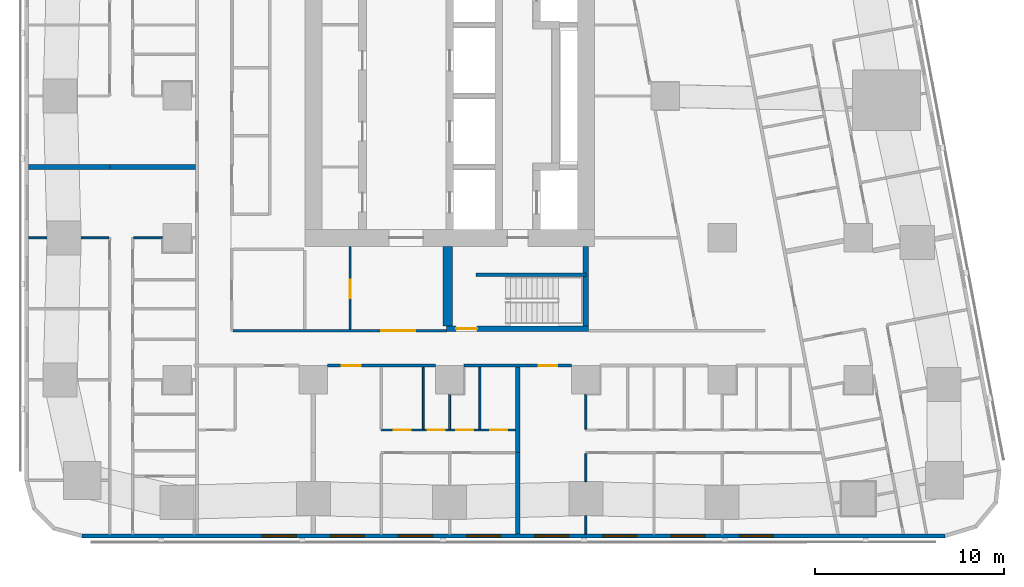
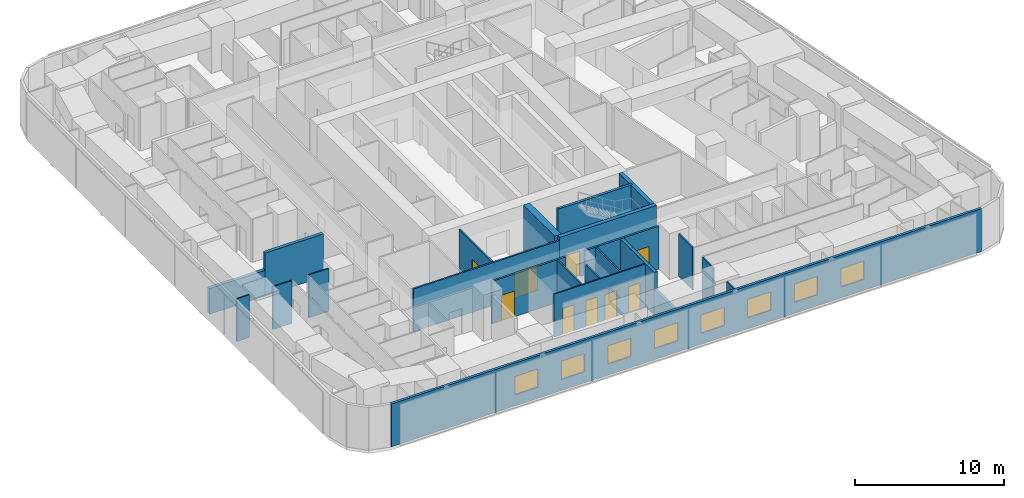
# One storey, part 3 of 15: 23 walls, 9 doors, 8 windows, 17 openings.
"""IFC4 building model written with IfcOpenShell, lengths in metres."""

from ifc_helpers import new_model, si_unit, direction, frame, frame_2d, origin, place, context, subcontext, project, spatial, rectangle, extrude, material, layer, layer_set, type_object, element, fill, save


model = new_model("IFC4")

# Units and contexts
model_context = context("Model", 3, precision=1e-05, world=origin(), true_north=direction((0.0, 1.0)))
body_context = subcontext(model_context, "Body", "Model", "MODEL_VIEW")
ifc_project = project(units=[si_unit("LENGTHUNIT", "METRE"), si_unit("AREAUNIT", "SQUARE_METRE"), si_unit("VOLUMEUNIT", "CUBIC_METRE"), si_unit("PLANEANGLEUNIT", "RADIAN"), si_unit("MASSUNIT", "GRAM", prefix="KILO")], contexts=[model_context])

# Site, building, storey
site_placement = place(None, origin())
site = spatial("IfcSite", under=ifc_project, at=site_placement, CompositionType="ELEMENT")
building_placement = place(site_placement, origin())
building = spatial("IfcBuilding", under=site, at=building_placement, Name="Sheger Commons Tower", CompositionType="ELEMENT")
storey_placement = place(building_placement, frame((0.0, 0.0, 154.550048828125)))
storey = spatial("IfcBuildingStorey", under=building, at=storey_placement, Name="L39", CompositionType="ELEMENT", Elevation=154.550048828125)

# Wall, opening, door
ifc_material_1 = material(Name="Hollow concrete block masonry, skimmed both sides", Category="masonry")
ifc_layer_1 = layer(ifc_material_1, 0.14990234375)
ifc_layer_set_1 = layer_set([ifc_layer_1], Name="CORRIDOR WALL 150")
wall_type_1 = type_object("IfcWallType", Name="CORRIDOR WALL 150", PredefinedType="SOLIDWALL", material=ifc_layer_set_1)
wall_1_placement = place(storey_placement, frame((28.049072265625, 8.25, 0.0), z_axis=(0.0, 0.0, 1.0), x_axis=(-1.0, 0.0, 0.0)))
wall_1 = element("IfcWall", 1, at=wall_1_placement, inside=storey, type_object=wall_type_1, Name="Corridor wall L39", PredefinedType="SOLIDWALL", context=body_context, shape_type="SweptSolid", body=[
    extrude(rectangle(XDim=5.697998046875, YDim=0.14990234375, at=frame_2d((2.84912109375, 0.0))), origin(), (0.0, 0.0, 1.0), 3.5),
])
opening_1_placement = place(wall_1_placement, frame((0.7490234375, 0.0, 0.0)))
opening_1 = element("IfcOpeningElement", 2, at=opening_1_placement, cuts=wall_1, Name="Opening D1", PredefinedType="OPENING", context=body_context, shape_type="SweptSolid", body=[
    extrude(rectangle(XDim=1.0, YDim=2.10009765625, at=frame_2d((0.5, 1.050048828125))), frame((0.0, 0.0849609375, 0.0), z_axis=(0.0, -1.0, 0.0), x_axis=(1.0, 0.0, 0.0)), (0.0, 0.0, 1.0), 0.169921875),
])
ifc_material_2 = material(Name="Steel door set, fire rated", Category="steel")
door_type_1 = type_object("IfcDoorType", Name="FLAT ENTRANCE DOOR 1000x2100", OperationType="NOTDEFINED", PredefinedType="DOOR", material=ifc_material_2)
door_1_placement = place(opening_1_placement, origin())
door_1 = element("IfcDoor", 3, at=door_1_placement, inside=storey, type_object=door_type_1, Name="Flat entrance door", OperationType="SINGLE_SWING_LEFT", OverallHeight=2.10009765625, OverallWidth=1.0, PredefinedType="DOOR", context=body_context, shape_type="SweptSolid", body=[
    extrude(rectangle(XDim=1.0, YDim=2.10009765625, at=frame_2d((0.5, 1.050048828125))), frame((0.0, 0.02490234375, 0.0), z_axis=(0.0, -1.0, 0.0), x_axis=(1.0, 0.0, 0.0)), (0.0, 0.0, 1.0), 0.050048828125),
])
fill(opening_1, door_1)

wall_2_placement = place(storey_placement, frame((20.84912109375, 8.25, 0.0), z_axis=(0.0, 0.0, 1.0), x_axis=(-1.0, 0.0, 0.0)))
wall_2 = element("IfcWall", 4, at=wall_2_placement, inside=storey, type_object=wall_type_1, Name="Corridor wall L39", PredefinedType="SOLIDWALL", context=body_context, shape_type="SweptSolid", body=[
    extrude(rectangle(XDim=5.6982421875, YDim=0.14990234375, at=frame_2d((2.84912109375, 0.0))), origin(), (0.0, 0.0, 1.0), 3.5),
])
opening_2_placement = place(wall_2_placement, frame((3.948974609375, 0.0, 0.0)))
opening_2 = element("IfcOpeningElement", 5, at=opening_2_placement, cuts=wall_2, Name="Opening D1", PredefinedType="OPENING", context=body_context, shape_type="SweptSolid", body=[
    extrude(rectangle(XDim=1.0, YDim=2.10009765625, at=frame_2d((0.5, 1.050048828125))), frame((0.0, 0.0849609375, 0.0), z_axis=(0.0, -1.0, 0.0), x_axis=(1.0, 0.0, 0.0)), (0.0, 0.0, 1.0), 0.169921875),
])
door_2_placement = place(opening_2_placement, origin())
door_2 = element("IfcDoor", 6, at=door_2_placement, inside=storey, type_object=door_type_1, Name="Flat entrance door", OperationType="SINGLE_SWING_RIGHT", OverallHeight=2.10009765625, OverallWidth=1.0, PredefinedType="DOOR", context=body_context, shape_type="SweptSolid", body=[
    extrude(rectangle(XDim=1.0, YDim=2.10009765625, at=frame_2d((0.5, 1.050048828125))), frame((0.0, 0.02490234375, 0.0), z_axis=(0.0, -1.0, 0.0), x_axis=(1.0, 0.0, 0.0)), (0.0, 0.0, 1.0), 0.050048828125),
])
fill(opening_2, door_2)

# Walls
ifc_material_3 = material(Name="Dense concrete block masonry, plastered both sides (separating wall between flats)", Category="masonry")
ifc_layer_2 = layer(ifc_material_3, 0.25)
ifc_layer_set_2 = layer_set([ifc_layer_2], Name="DEMISING WALL 250")
wall_type_2 = type_object("IfcWallType", Name="DEMISING WALL 250", PredefinedType="SOLIDWALL", material=ifc_layer_set_2)
wall_3_placement = place(storey_placement, frame((-0.64990234375, 18.75, 0.0), z_axis=(0.0, 0.0, 1.0), x_axis=(1.0, 0.0, 0.0)))
element("IfcWall", 7, at=wall_3_placement, inside=storey, type_object=wall_type_2, Name="Demising wall L39", PredefinedType="SOLIDWALL", context=body_context, shape_type="SweptSolid", body=[
    extrude(rectangle(XDim=4.2998046875, YDim=0.25, at=frame_2d((2.14990234375, 0.0))), origin(), (0.0, 0.0, 1.0), 2.099853515625),
])
wall_4_placement = place(storey_placement, frame((3.64990234375, 18.75, 0.0), z_axis=(0.0, 0.0, 1.0), x_axis=(1.0, 0.0, 0.0)))
element("IfcWall", 8, at=wall_4_placement, inside=storey, type_object=wall_type_2, Name="Demising wall L39", PredefinedType="SOLIDWALL", context=body_context, shape_type="SweptSolid", body=[
    extrude(rectangle(XDim=4.525146484375, YDim=0.25, at=frame_2d((2.2626953125, 0.0))), origin(), (0.0, 0.0, 1.0), 3.5),
])
wall_5_placement = place(storey_placement, frame((25.199951171875, -0.64990234375, 0.0), z_axis=(0.0, 0.0, 1.0), x_axis=(0.0, 1.0, 0.0)))
element("IfcWall", 9, at=wall_5_placement, inside=storey, type_object=wall_type_2, Name="Demising wall L39", PredefinedType="SOLIDWALL", context=body_context, shape_type="SweptSolid", body=[
    extrude(rectangle(XDim=4.2998046875, YDim=0.25, at=frame_2d((2.14990234375, 0.0))), origin(), (0.0, 0.0, 1.0), 2.099853515625),
])
wall_6_placement = place(storey_placement, frame((25.199951171875, 3.64990234375, 0.0), z_axis=(0.0, 0.0, 1.0), x_axis=(0.0, 1.0, 0.0)))
element("IfcWall", 10, at=wall_6_placement, inside=storey, type_object=wall_type_2, Name="Demising wall L39", PredefinedType="SOLIDWALL", context=body_context, shape_type="SweptSolid", body=[
    extrude(rectangle(XDim=4.525146484375, YDim=0.25, at=frame_2d((2.2626953125, 0.0))), origin(), (0.0, 0.0, 1.0), 3.5),
])

# Wall, openings, windows
ifc_material_4 = material(Name="Rendered concrete block masonry, dark grey", Category="masonry")
ifc_layer_3 = layer(ifc_material_4, 0.199951171875)
ifc_layer_set_3 = layer_set([ifc_layer_3], Name="FACADE WALL 200")
wall_type_3 = type_object("IfcWallType", Name="FACADE WALL 200", PredefinedType="SOLIDWALL", material=ifc_layer_set_3)
wall_7_placement = place(storey_placement, frame((2.1630859375, -0.75, 0.0), z_axis=(0.0, 0.0, 1.0), x_axis=(1.0, 0.0, 0.0)))
wall_7 = element("IfcWall", 11, at=wall_7_placement, inside=storey, type_object=wall_type_3, Name="Facade wall L39", PredefinedType="SOLIDWALL", context=body_context, shape_type="SweptSolid", body=[
    extrude(rectangle(XDim=45.6279296875, YDim=0.199951171875, at=frame_2d((22.81396484375, 0.0))), origin(), (0.0, 0.0, 1.0), 3.5),
])
opening_3_placement = place(wall_7_placement, frame((9.537109375, 0.0, 0.89990234375)))
opening_3 = element("IfcOpeningElement", 12, at=opening_3_placement, cuts=wall_7, Name="Opening W2", PredefinedType="OPENING", context=body_context, shape_type="SweptSolid", body=[
    extrude(rectangle(XDim=1.800048828125, YDim=1.5, at=frame_2d((0.89990234375, 0.75))), frame((0.0, 0.10986328125, 0.0), z_axis=(0.0, -1.0, 0.0), x_axis=(1.0, 0.0, 0.0)), (0.0, 0.0, 1.0), 0.219970703125),
])
opening_4_placement = place(wall_7_placement, frame((13.136962890625, 0.0, 0.89990234375)))
opening_4 = element("IfcOpeningElement", 13, at=opening_4_placement, cuts=wall_7, Name="Opening W2", PredefinedType="OPENING", context=body_context, shape_type="SweptSolid", body=[
    extrude(rectangle(XDim=1.800048828125, YDim=1.5, at=frame_2d((0.89990234375, 0.75))), frame((0.0, 0.10986328125, 0.0), z_axis=(0.0, -1.0, 0.0), x_axis=(1.0, 0.0, 0.0)), (0.0, 0.0, 1.0), 0.219970703125),
])
opening_5_placement = place(wall_7_placement, frame((16.737060546875, 0.0, 0.89990234375)))
opening_5 = element("IfcOpeningElement", 14, at=opening_5_placement, cuts=wall_7, Name="Opening W2", PredefinedType="OPENING", context=body_context, shape_type="SweptSolid", body=[
    extrude(rectangle(XDim=1.800048828125, YDim=1.5, at=frame_2d((0.89990234375, 0.75))), frame((0.0, 0.10986328125, 0.0), z_axis=(0.0, -1.0, 0.0), x_axis=(1.0, 0.0, 0.0)), (0.0, 0.0, 1.0), 0.219970703125),
])
opening_6_placement = place(wall_7_placement, frame((20.3369140625, 0.0, 0.89990234375)))
opening_6 = element("IfcOpeningElement", 15, at=opening_6_placement, cuts=wall_7, Name="Opening W2", PredefinedType="OPENING", context=body_context, shape_type="SweptSolid", body=[
    extrude(rectangle(XDim=1.800048828125, YDim=1.5, at=frame_2d((0.89990234375, 0.75))), frame((0.0, 0.10986328125, 0.0), z_axis=(0.0, -1.0, 0.0), x_axis=(1.0, 0.0, 0.0)), (0.0, 0.0, 1.0), 0.219970703125),
])
opening_7_placement = place(wall_7_placement, frame((23.93701171875, 0.0, 0.89990234375)))
opening_7 = element("IfcOpeningElement", 16, at=opening_7_placement, cuts=wall_7, Name="Opening W2", PredefinedType="OPENING", context=body_context, shape_type="SweptSolid", body=[
    extrude(rectangle(XDim=1.800048828125, YDim=1.5, at=frame_2d((0.89990234375, 0.75))), frame((0.0, 0.10986328125, 0.0), z_axis=(0.0, -1.0, 0.0), x_axis=(1.0, 0.0, 0.0)), (0.0, 0.0, 1.0), 0.219970703125),
])
opening_8_placement = place(wall_7_placement, frame((27.537109375, 0.0, 0.89990234375)))
opening_8 = element("IfcOpeningElement", 17, at=opening_8_placement, cuts=wall_7, Name="Opening W2", PredefinedType="OPENING", context=body_context, shape_type="SweptSolid", body=[
    extrude(rectangle(XDim=1.800048828125, YDim=1.5, at=frame_2d((0.89990234375, 0.75))), frame((0.0, 0.10986328125, 0.0), z_axis=(0.0, -1.0, 0.0), x_axis=(1.0, 0.0, 0.0)), (0.0, 0.0, 1.0), 0.219970703125),
])
opening_9_placement = place(wall_7_placement, frame((31.136962890625, 0.0, 0.89990234375)))
opening_9 = element("IfcOpeningElement", 18, at=opening_9_placement, cuts=wall_7, Name="Opening W2", PredefinedType="OPENING", context=body_context, shape_type="SweptSolid", body=[
    extrude(rectangle(XDim=1.800048828125, YDim=1.5, at=frame_2d((0.89990234375, 0.75))), frame((0.0, 0.10986328125, 0.0), z_axis=(0.0, -1.0, 0.0), x_axis=(1.0, 0.0, 0.0)), (0.0, 0.0, 1.0), 0.219970703125),
])
opening_10_placement = place(wall_7_placement, frame((34.737060546875, 0.0, 0.89990234375)))
opening_10 = element("IfcOpeningElement", 19, at=opening_10_placement, cuts=wall_7, Name="Opening W2", PredefinedType="OPENING", context=body_context, shape_type="SweptSolid", body=[
    extrude(rectangle(XDim=1.800048828125, YDim=1.5, at=frame_2d((0.89990234375, 0.75))), frame((0.0, 0.10986328125, 0.0), z_axis=(0.0, -1.0, 0.0), x_axis=(1.0, 0.0, 0.0)), (0.0, 0.0, 1.0), 0.219970703125),
])
ifc_material_5 = material(Name="Black aluminium frame, dark tinted double glazing", Category="aluminium")
window_type = type_object("IfcWindowType", Name="WINDOW W2 1800x1500", PartitioningType="SINGLE_PANEL", PredefinedType="WINDOW", material=ifc_material_5)
window_1_placement = place(opening_3_placement, origin())
window_1 = element("IfcWindow", 20, at=window_1_placement, inside=storey, type_object=window_type, Name="Window W2 1800X1500", OverallHeight=1.5, OverallWidth=1.800048828125, PartitioningType="SINGLE_PANEL", PredefinedType="WINDOW", context=body_context, shape_type="SweptSolid", body=[
    extrude(rectangle(XDim=1.800048828125, YDim=1.5, at=frame_2d((0.89990234375, 0.75))), frame((0.0, 0.030029296875, 0.0), z_axis=(0.0, -1.0, 0.0), x_axis=(1.0, 0.0, 0.0)), (0.0, 0.0, 1.0), 0.06005859375),
])
fill(opening_3, window_1)
window_2_placement = place(opening_4_placement, origin())
window_2 = element("IfcWindow", 21, at=window_2_placement, inside=storey, type_object=window_type, Name="Window W2 1800X1500", OverallHeight=1.5, OverallWidth=1.800048828125, PartitioningType="SINGLE_PANEL", PredefinedType="WINDOW", context=body_context, shape_type="SweptSolid", body=[
    extrude(rectangle(XDim=1.800048828125, YDim=1.5, at=frame_2d((0.89990234375, 0.75))), frame((0.0, 0.030029296875, 0.0), z_axis=(0.0, -1.0, 0.0), x_axis=(1.0, 0.0, 0.0)), (0.0, 0.0, 1.0), 0.06005859375),
])
fill(opening_4, window_2)
window_3_placement = place(opening_5_placement, origin())
window_3 = element("IfcWindow", 22, at=window_3_placement, inside=storey, type_object=window_type, Name="Window W2 1800X1500", OverallHeight=1.5, OverallWidth=1.800048828125, PartitioningType="SINGLE_PANEL", PredefinedType="WINDOW", context=body_context, shape_type="SweptSolid", body=[
    extrude(rectangle(XDim=1.800048828125, YDim=1.5, at=frame_2d((0.89990234375, 0.75))), frame((0.0, 0.030029296875, 0.0), z_axis=(0.0, -1.0, 0.0), x_axis=(1.0, 0.0, 0.0)), (0.0, 0.0, 1.0), 0.06005859375),
])
fill(opening_5, window_3)
window_4_placement = place(opening_6_placement, origin())
window_4 = element("IfcWindow", 23, at=window_4_placement, inside=storey, type_object=window_type, Name="Window W2 1800X1500", OverallHeight=1.5, OverallWidth=1.800048828125, PartitioningType="SINGLE_PANEL", PredefinedType="WINDOW", context=body_context, shape_type="SweptSolid", body=[
    extrude(rectangle(XDim=1.800048828125, YDim=1.5, at=frame_2d((0.89990234375, 0.75))), frame((0.0, 0.030029296875, 0.0), z_axis=(0.0, -1.0, 0.0), x_axis=(1.0, 0.0, 0.0)), (0.0, 0.0, 1.0), 0.06005859375),
])
fill(opening_6, window_4)
window_5_placement = place(opening_7_placement, origin())
window_5 = element("IfcWindow", 24, at=window_5_placement, inside=storey, type_object=window_type, Name="Window W2 1800X1500", OverallHeight=1.5, OverallWidth=1.800048828125, PartitioningType="SINGLE_PANEL", PredefinedType="WINDOW", context=body_context, shape_type="SweptSolid", body=[
    extrude(rectangle(XDim=1.800048828125, YDim=1.5, at=frame_2d((0.89990234375, 0.75))), frame((0.0, 0.030029296875, 0.0), z_axis=(0.0, -1.0, 0.0), x_axis=(1.0, 0.0, 0.0)), (0.0, 0.0, 1.0), 0.06005859375),
])
fill(opening_7, window_5)
window_6_placement = place(opening_8_placement, origin())
window_6 = element("IfcWindow", 25, at=window_6_placement, inside=storey, type_object=window_type, Name="Window W2 1800X1500", OverallHeight=1.5, OverallWidth=1.800048828125, PartitioningType="SINGLE_PANEL", PredefinedType="WINDOW", context=body_context, shape_type="SweptSolid", body=[
    extrude(rectangle(XDim=1.800048828125, YDim=1.5, at=frame_2d((0.89990234375, 0.75))), frame((0.0, 0.030029296875, 0.0), z_axis=(0.0, -1.0, 0.0), x_axis=(1.0, 0.0, 0.0)), (0.0, 0.0, 1.0), 0.06005859375),
])
fill(opening_8, window_6)
window_7_placement = place(opening_9_placement, origin())
window_7 = element("IfcWindow", 26, at=window_7_placement, inside=storey, type_object=window_type, Name="Window W2 1800X1500", OverallHeight=1.5, OverallWidth=1.800048828125, PartitioningType="SINGLE_PANEL", PredefinedType="WINDOW", context=body_context, shape_type="SweptSolid", body=[
    extrude(rectangle(XDim=1.800048828125, YDim=1.5, at=frame_2d((0.89990234375, 0.75))), frame((0.0, 0.030029296875, 0.0), z_axis=(0.0, -1.0, 0.0), x_axis=(1.0, 0.0, 0.0)), (0.0, 0.0, 1.0), 0.06005859375),
])
fill(opening_9, window_7)
window_8_placement = place(opening_10_placement, origin())
window_8 = element("IfcWindow", 27, at=window_8_placement, inside=storey, type_object=window_type, Name="Window W2 1800X1500", OverallHeight=1.5, OverallWidth=1.800048828125, PartitioningType="SINGLE_PANEL", PredefinedType="WINDOW", context=body_context, shape_type="SweptSolid", body=[
    extrude(rectangle(XDim=1.800048828125, YDim=1.5, at=frame_2d((0.89990234375, 0.75))), frame((0.0, 0.030029296875, 0.0), z_axis=(0.0, -1.0, 0.0), x_axis=(1.0, 0.0, 0.0)), (0.0, 0.0, 1.0), 0.06005859375),
])
fill(opening_10, window_8)

# Walls
ifc_material_6 = material(Name="Gypsum board on steel studs", Category="steel")
ifc_layer_4 = layer(ifc_material_6, 0.10009765625)
ifc_layer_set_4 = layer_set([ifc_layer_4], Name="PARTITION 100")
wall_type_4 = type_object("IfcWallType", Name="PARTITION 100", PredefinedType="PARTITIONING", material=ifc_layer_set_4)
wall_8_placement = place(storey_placement, frame((-0.64990234375, 15.0, 0.0), z_axis=(0.0, 0.0, 1.0), x_axis=(1.0, 0.0, 0.0)))
element("IfcWall", 28, at=wall_8_placement, inside=storey, type_object=wall_type_4, Name="Partition L39", PredefinedType="PARTITIONING", context=body_context, shape_type="SweptSolid", body=[
    extrude(rectangle(XDim=0.973876953125, YDim=0.10009765625, at=frame_2d((0.48681640625, 0.0))), origin(), (0.0, 0.0, 1.0), 3.5),
])
wall_9_placement = place(storey_placement, frame((2.1259765625, 15.0, 0.0), z_axis=(0.0, 0.0, 1.0), x_axis=(1.0, 0.0, 0.0)))
element("IfcWall", 29, at=wall_9_placement, inside=storey, type_object=wall_type_4, Name="Partition L39", PredefinedType="PARTITIONING", context=body_context, shape_type="SweptSolid", body=[
    extrude(rectangle(XDim=1.47412109375, YDim=0.10009765625, at=frame_2d((0.737060546875, 0.0))), origin(), (0.0, 0.0, 1.0), 3.5),
])
wall_10_placement = place(storey_placement, frame((4.89990234375, 15.0, 0.0), z_axis=(0.0, 0.0, 1.0), x_axis=(1.0, 0.0, 0.0)))
element("IfcWall", 30, at=wall_10_placement, inside=storey, type_object=wall_type_4, Name="Partition L39", PredefinedType="PARTITIONING", context=body_context, shape_type="SweptSolid", body=[
    extrude(rectangle(XDim=1.549072265625, YDim=0.10009765625, at=frame_2d((0.7744140625, 0.0))), origin(), (0.0, 0.0, 1.0), 3.5),
])

# Wall, openings, doors
wall_11_placement = place(storey_placement, frame((25.074951171875, 4.85009765625, 0.0), z_axis=(0.0, 0.0, 1.0), x_axis=(-1.0, 0.0, 0.0)))
wall_11 = element("IfcWall", 31, at=wall_11_placement, inside=storey, type_object=wall_type_4, Name="Partition L39", PredefinedType="PARTITIONING", context=body_context, shape_type="SweptSolid", body=[
    extrude(rectangle(XDim=7.074951171875, YDim=0.10009765625, at=frame_2d((3.53759765625, 0.0))), origin(), (0.0, 0.0, 1.0), 3.5),
])
opening_11_placement = place(wall_11_placement, frame((5.52001953125, 0.0, 0.0)))
opening_11 = element("IfcOpeningElement", 32, at=opening_11_placement, cuts=wall_11, Name="Opening D2", PredefinedType="OPENING", context=body_context, shape_type="SweptSolid", body=[
    extrude(rectangle(XDim=0.89990234375, YDim=2.10009765625, at=frame_2d((0.449951171875, 1.050048828125))), frame((0.0, 0.06005859375, 0.0), z_axis=(0.0, -1.0, 0.0), x_axis=(1.0, 0.0, 0.0)), (0.0, 0.0, 1.0), 0.1201171875),
])
opening_12_placement = place(wall_11_placement, frame((2.22509765625, 0.0, 0.0)))
opening_12 = element("IfcOpeningElement", 33, at=opening_12_placement, cuts=wall_11, Name="Opening D2", PredefinedType="OPENING", context=body_context, shape_type="SweptSolid", body=[
    extrude(rectangle(XDim=0.89990234375, YDim=2.10009765625, at=frame_2d((0.449951171875, 1.050048828125))), frame((0.0, 0.06005859375, 0.0), z_axis=(0.0, -1.0, 0.0), x_axis=(1.0, 0.0, 0.0)), (0.0, 0.0, 1.0), 0.1201171875),
])
opening_13_placement = place(wall_11_placement, frame((3.719970703125, 0.0, 0.0)))
opening_13 = element("IfcOpeningElement", 34, at=opening_13_placement, cuts=wall_11, Name="Opening D2", PredefinedType="OPENING", context=body_context, shape_type="SweptSolid", body=[
    extrude(rectangle(XDim=0.89990234375, YDim=2.10009765625, at=frame_2d((0.449951171875, 1.050048828125))), frame((0.0, 0.06005859375, 0.0), z_axis=(0.0, -1.0, 0.0), x_axis=(1.0, 0.0, 0.0)), (0.0, 0.0, 1.0), 0.1201171875),
])
opening_14_placement = place(wall_11_placement, frame((0.425048828125, 0.0, 0.0)))
opening_14 = element("IfcOpeningElement", 35, at=opening_14_placement, cuts=wall_11, Name="Opening D2", PredefinedType="OPENING", context=body_context, shape_type="SweptSolid", body=[
    extrude(rectangle(XDim=0.89990234375, YDim=2.10009765625, at=frame_2d((0.449951171875, 1.050048828125))), frame((0.0, 0.06005859375, 0.0), z_axis=(0.0, -1.0, 0.0), x_axis=(1.0, 0.0, 0.0)), (0.0, 0.0, 1.0), 0.1201171875),
])
ifc_material_7 = material(Name="Timber door set", Category="wood")
door_type_2 = type_object("IfcDoorType", Name="INTERNAL DOOR 900x2100", OperationType="NOTDEFINED", PredefinedType="DOOR", material=ifc_material_7)
door_3_placement = place(opening_11_placement, origin())
door_3 = element("IfcDoor", 36, at=door_3_placement, inside=storey, type_object=door_type_2, Name="Bathroom door", OperationType="SINGLE_SWING_LEFT", OverallHeight=2.10009765625, OverallWidth=0.89990234375, PredefinedType="DOOR", context=body_context, shape_type="SweptSolid", body=[
    extrude(rectangle(XDim=0.89990234375, YDim=2.10009765625, at=frame_2d((0.449951171875, 1.050048828125))), frame((0.0, 0.02490234375, 0.0), z_axis=(0.0, -1.0, 0.0), x_axis=(1.0, 0.0, 0.0)), (0.0, 0.0, 1.0), 0.050048828125),
])
fill(opening_11, door_3)
door_4_placement = place(opening_12_placement, origin())
door_4 = element("IfcDoor", 37, at=door_4_placement, inside=storey, type_object=door_type_2, Name="Shower room door", OperationType="SINGLE_SWING_RIGHT", OverallHeight=2.10009765625, OverallWidth=0.89990234375, PredefinedType="DOOR", context=body_context, shape_type="SweptSolid", body=[
    extrude(rectangle(XDim=0.89990234375, YDim=2.10009765625, at=frame_2d((0.449951171875, 1.050048828125))), frame((0.0, 0.02490234375, 0.0), z_axis=(0.0, -1.0, 0.0), x_axis=(1.0, 0.0, 0.0)), (0.0, 0.0, 1.0), 0.050048828125),
])
fill(opening_12, door_4)
door_5_placement = place(opening_13_placement, origin())
door_5 = element("IfcDoor", 38, at=door_5_placement, inside=storey, type_object=door_type_2, Name="Store door", OperationType="SINGLE_SWING_RIGHT", OverallHeight=2.10009765625, OverallWidth=0.89990234375, PredefinedType="DOOR", context=body_context, shape_type="SweptSolid", body=[
    extrude(rectangle(XDim=0.89990234375, YDim=2.10009765625, at=frame_2d((0.449951171875, 1.050048828125))), frame((0.0, 0.02490234375, 0.0), z_axis=(0.0, -1.0, 0.0), x_axis=(1.0, 0.0, 0.0)), (0.0, 0.0, 1.0), 0.050048828125),
])
fill(opening_13, door_5)
door_6_placement = place(opening_14_placement, origin())
door_6 = element("IfcDoor", 39, at=door_6_placement, inside=storey, type_object=door_type_2, Name="Store door", OperationType="SINGLE_SWING_RIGHT", OverallHeight=2.10009765625, OverallWidth=0.89990234375, PredefinedType="DOOR", context=body_context, shape_type="SweptSolid", body=[
    extrude(rectangle(XDim=0.89990234375, YDim=2.10009765625, at=frame_2d((0.449951171875, 1.050048828125))), frame((0.0, 0.02490234375, 0.0), z_axis=(0.0, -1.0, 0.0), x_axis=(1.0, 0.0, 0.0)), (0.0, 0.0, 1.0), 0.050048828125),
])
fill(opening_14, door_6)

# Walls
wall_12_placement = place(storey_placement, frame((21.60009765625, 4.89990234375, 0.0), z_axis=(0.0, 0.0, 1.0), x_axis=(0.0, 1.0, 0.0)))
element("IfcWall", 40, at=wall_12_placement, inside=storey, type_object=wall_type_4, Name="Partition L39", PredefinedType="PARTITIONING", context=body_context, shape_type="SweptSolid", body=[
    extrude(rectangle(XDim=1.84912109375, YDim=0.10009765625, at=frame_2d((0.924560546875, 0.0))), origin(), (0.0, 0.0, 1.0), 3.5),
])
for number, where, z_axis, x_axis, name in (
    (41, (20.2099609375, 4.89990234375, 0.0), (0.0, 0.0, 1.0), (0.0, 1.0, 0.0), "Partition L39"),
    (42, (23.199951171875, 4.89990234375, 0.0), (0.0, 0.0, 1.0), (0.0, 1.0, 0.0), "Partition L39"),
):
    element("IfcWall", number, at=place(storey_placement, frame(where, z_axis=z_axis, x_axis=x_axis)), inside=storey, type_object=wall_type_4, Name=name, PredefinedType="PARTITIONING", context=body_context, shape_type="SweptSolid", body=[
        extrude(rectangle(XDim=3.275146484375, YDim=0.10009765625, at=frame_2d((1.6376953125, 0.0))), origin(), (0.0, 0.0, 1.0), 3.5),
    ])
wall_13_placement = place(storey_placement, frame((28.800048828125, -0.64990234375, 0.0), z_axis=(0.0, 0.0, 1.0), x_axis=(0.0, 1.0, 0.0)))
element("IfcWall", 43, at=wall_13_placement, inside=storey, type_object=wall_type_4, Name="Partition L39", PredefinedType="PARTITIONING", context=body_context, shape_type="SweptSolid", body=[
    extrude(rectangle(XDim=0.973876953125, YDim=0.10009765625, at=frame_2d((0.48681640625, 0.0))), origin(), (0.0, 0.0, 1.0), 3.5),
])
wall_14_placement = place(storey_placement, frame((28.800048828125, 2.1259765625, 0.0), z_axis=(0.0, 0.0, 1.0), x_axis=(0.0, 1.0, 0.0)))
element("IfcWall", 44, at=wall_14_placement, inside=storey, type_object=wall_type_4, Name="Partition L39", PredefinedType="PARTITIONING", context=body_context, shape_type="SweptSolid", body=[
    extrude(rectangle(XDim=1.47412109375, YDim=0.10009765625, at=frame_2d((0.737060546875, 0.0))), origin(), (0.0, 0.0, 1.0), 3.5),
])
wall_15_placement = place(storey_placement, frame((28.800048828125, 4.89990234375, 0.0), z_axis=(0.0, 0.0, 1.0), x_axis=(0.0, 1.0, 0.0)))
element("IfcWall", 45, at=wall_15_placement, inside=storey, type_object=wall_type_4, Name="Partition L39", PredefinedType="PARTITIONING", context=body_context, shape_type="SweptSolid", body=[
    extrude(rectangle(XDim=1.84912109375, YDim=0.10009765625, at=frame_2d((0.924560546875, 0.0))), origin(), (0.0, 0.0, 1.0), 3.5),
])

# Wall, opening, door
ifc_material_8 = material(Name="Gypsum board on steel studs, two layers each side, fire rated", Category="steel")
ifc_layer_5 = layer(ifc_material_8, 0.125)
ifc_layer_set_5 = layer_set([ifc_layer_5], Name="SERVICE WALL 125")
wall_type_5 = type_object("IfcWallType", Name="SERVICE WALL 125", PredefinedType="PARTITIONING", material=ifc_layer_set_5)
wall_16_placement = place(storey_placement, frame((10.162109375, 10.10009765625, 0.0), z_axis=(0.0, 0.0, 1.0), x_axis=(1.0, 0.0, 0.0)))
wall_16 = element("IfcWall", 46, at=wall_16_placement, inside=storey, type_object=wall_type_5, Name="Service room wall L39", PredefinedType="PARTITIONING", context=body_context, shape_type="SweptSolid", body=[
    extrude(rectangle(XDim=11.287841796875, YDim=0.125, at=frame_2d((5.64404296875, 0.0))), origin(), (0.0, 0.0, 1.0), 3.5),
])
opening_15_placement = place(wall_16_placement, frame((7.8330078125, 0.0, 0.0)))
opening_15 = element("IfcOpeningElement", 47, at=opening_15_placement, cuts=wall_16, Name="Opening D6", PredefinedType="OPENING", context=body_context, shape_type="SweptSolid", body=[
    extrude(rectangle(XDim=1.800048828125, YDim=2.10009765625, at=frame_2d((0.89990234375, 1.050048828125))), frame((0.0, 0.072509765625, 0.0), z_axis=(0.0, -1.0, 0.0), x_axis=(1.0, 0.0, 0.0)), (0.0, 0.0, 1.0), 0.14501953125),
])
ifc_material_9 = material(Name="Steel door set, fire rated", Category="steel")
door_type_3 = type_object("IfcDoorType", Name="LOBBY DOUBLE DOOR 1800x2100", OperationType="DOUBLE_DOOR_SINGLE_SWING", PredefinedType="DOOR", material=ifc_material_9)
door_7_placement = place(opening_15_placement, origin())
door_7 = element("IfcDoor", 48, at=door_7_placement, inside=storey, type_object=door_type_3, Name="Lift lobby south door", OperationType="DOUBLE_DOOR_SINGLE_SWING", OverallHeight=2.10009765625, OverallWidth=1.800048828125, PredefinedType="DOOR", context=body_context, shape_type="SweptSolid", body=[
    extrude(rectangle(XDim=1.800048828125, YDim=2.10009765625, at=frame_2d((0.89990234375, 1.050048828125))), frame((0.0, 0.02490234375, 0.0), z_axis=(0.0, -1.0, 0.0), x_axis=(1.0, 0.0, 0.0)), (0.0, 0.0, 1.0), 0.050048828125),
])
fill(opening_15, door_7)

wall_17_placement = place(storey_placement, frame((16.340087890625, 10.1630859375, 0.0), z_axis=(0.0, 0.0, 1.0), x_axis=(0.0, 1.0, 0.0)))
wall_17 = element("IfcWall", 49, at=wall_17_placement, inside=storey, type_object=wall_type_5, Name="Service room wall L39", PredefinedType="PARTITIONING", context=body_context, shape_type="SweptSolid", body=[
    extrude(rectangle(XDim=4.386962890625, YDim=0.125, at=frame_2d((2.193359375, 0.0))), origin(), (0.0, 0.0, 1.0), 3.5),
])
opening_16_placement = place(wall_17_placement, frame((1.636962890625, 0.0, 0.0)))
opening_16 = element("IfcOpeningElement", 50, at=opening_16_placement, cuts=wall_17, Name="Opening D4", PredefinedType="OPENING", context=body_context, shape_type="SweptSolid", body=[
    extrude(rectangle(XDim=1.0, YDim=2.10009765625, at=frame_2d((0.5, 1.050048828125))), frame((0.0, 0.072509765625, 0.0), z_axis=(0.0, -1.0, 0.0), x_axis=(1.0, 0.0, 0.0)), (0.0, 0.0, 1.0), 0.14501953125),
])
ifc_material_10 = material(Name="Steel door set, fire rated", Category="steel")
door_type_4 = type_object("IfcDoorType", Name="SERVICE DOOR 1000x2100", OperationType="NOTDEFINED", PredefinedType="DOOR", material=ifc_material_10)
door_8_placement = place(opening_16_placement, origin())
door_8 = element("IfcDoor", 51, at=door_8_placement, inside=storey, type_object=door_type_4, Name="Electrical room door", OperationType="SINGLE_SWING_LEFT", OverallHeight=2.10009765625, OverallWidth=1.0, PredefinedType="DOOR", context=body_context, shape_type="SweptSolid", body=[
    extrude(rectangle(XDim=1.0, YDim=2.10009765625, at=frame_2d((0.5, 1.050048828125))), frame((0.0, 0.02490234375, 0.0), z_axis=(0.0, -1.0, 0.0), x_axis=(1.0, 0.0, 0.0)), (0.0, 0.0, 1.0), 0.050048828125),
])
fill(opening_16, door_8)

ifc_material_11 = material(Name="Concrete C50/60", Category="concrete")
ifc_layer_6 = layer(ifc_material_11, 0.300048828125)
ifc_layer_set_6 = layer_set([ifc_layer_6], Name="STAIR CORE WALL 300")
wall_type_6 = type_object("IfcWallType", Name="STAIR CORE WALL 300", PredefinedType="SHEAR", material=ifc_layer_set_6)
wall_18_placement = place(storey_placement, frame((21.449951171875, 10.199951171875, 0.0), z_axis=(0.0, 0.0, 1.0), x_axis=(1.0, 0.0, 0.0)))
wall_18 = element("IfcWall", 52, at=wall_18_placement, inside=storey, type_object=wall_type_6, Name="STW-L39-S1S", PredefinedType="SHEAR", context=body_context, shape_type="SweptSolid", body=[
    extrude(rectangle(XDim=7.5, YDim=0.300048828125, at=frame_2d((3.75, 0.0))), origin(), (0.0, 0.0, 1.0), 3.75),
])
opening_17_placement = place(wall_18_placement, frame((0.5, 0.0, 0.0)))
opening_17 = element("IfcOpeningElement", 53, at=opening_17_placement, cuts=wall_18, Name="Opening D5", PredefinedType="OPENING", context=body_context, shape_type="SweptSolid", body=[
    extrude(rectangle(XDim=1.10009765625, YDim=2.10009765625, at=frame_2d((0.550048828125, 1.050048828125))), frame((0.0, 0.159912109375, 0.0), z_axis=(0.0, -1.0, 0.0), x_axis=(1.0, 0.0, 0.0)), (0.0, 0.0, 1.0), 0.320068359375),
])
ifc_material_12 = material(Name="Steel door set, fire rated", Category="steel")
door_type_5 = type_object("IfcDoorType", Name="STAIR DOOR 1100x2100", OperationType="NOTDEFINED", PredefinedType="DOOR", material=ifc_material_12)
door_9_placement = place(opening_17_placement, origin())
door_9 = element("IfcDoor", 54, at=door_9_placement, inside=storey, type_object=door_type_5, Name="Stair S1 door", OperationType="SINGLE_SWING_LEFT", OverallHeight=2.10009765625, OverallWidth=1.10009765625, PredefinedType="DOOR", context=body_context, shape_type="SweptSolid", body=[
    extrude(rectangle(XDim=1.10009765625, YDim=2.10009765625, at=frame_2d((0.550048828125, 1.050048828125))), frame((0.0, 0.02490234375, 0.0), z_axis=(0.0, -1.0, 0.0), x_axis=(1.0, 0.0, 0.0)), (0.0, 0.0, 1.0), 0.050048828125),
])
fill(opening_17, door_9)

# Walls
wall_19_placement = place(storey_placement, frame((28.800048828125, 10.35009765625, 0.0), z_axis=(0.0, 0.0, 1.0), x_axis=(0.0, 1.0, 0.0)))
element("IfcWall", 55, at=wall_19_placement, inside=storey, type_object=wall_type_6, Name="STW-L39-S1E", PredefinedType="SHEAR", context=body_context, shape_type="SweptSolid", body=[
    extrude(rectangle(XDim=4.199951171875, YDim=0.300048828125, at=frame_2d((2.10009765625, 0.0))), origin(), (0.0, 0.0, 1.0), 3.75),
])
ifc_material_13 = material(Name="Concrete C50/60", Category="concrete")
ifc_layer_7 = layer(ifc_material_13, 0.5)
ifc_layer_set_7 = layer_set([ifc_layer_7], Name="STAIR CORE WALL 500")
wall_type_7 = type_object("IfcWallType", Name="STAIR CORE WALL 500", PredefinedType="SHEAR", material=ifc_layer_set_7)
wall_20_placement = place(storey_placement, frame((21.5, 10.35009765625, 0.0), z_axis=(0.0, 0.0, 1.0), x_axis=(0.0, 1.0, 0.0)))
element("IfcWall", 56, at=wall_20_placement, inside=storey, type_object=wall_type_7, Name="STW-L39-S1W", PredefinedType="SHEAR", context=body_context, shape_type="SweptSolid", body=[
    extrude(rectangle(XDim=4.199951171875, YDim=0.5, at=frame_2d((2.10009765625, 0.0))), origin(), (0.0, 0.0, 1.0), 3.75),
])
ifc_material_14 = material(Name="Concrete C50/60", Category="concrete")
ifc_layer_8 = layer(ifc_material_14, 0.199951171875)
ifc_layer_set_8 = layer_set([ifc_layer_8], Name="STAIR SPINE WALL 200")
wall_type_8 = type_object("IfcWallType", Name="STAIR SPINE WALL 200", PredefinedType="SHEAR", material=ifc_layer_set_8)
wall_21_placement = place(storey_placement, frame((23.0, 13.050048828125, 0.0), z_axis=(0.0, 0.0, 1.0), x_axis=(1.0, 0.0, 0.0)))
element("IfcWall", 57, at=wall_21_placement, inside=storey, type_object=wall_type_8, Name="Stair spine wall L39", PredefinedType="SHEAR", context=body_context, shape_type="SweptSolid", body=[
    extrude(rectangle(XDim=5.800048828125, YDim=0.199951171875, at=frame_2d((2.89990234375, 0.0))), origin(), (0.0, 0.0, 1.0), 3.75),
])

save(model, "model.ifc")
